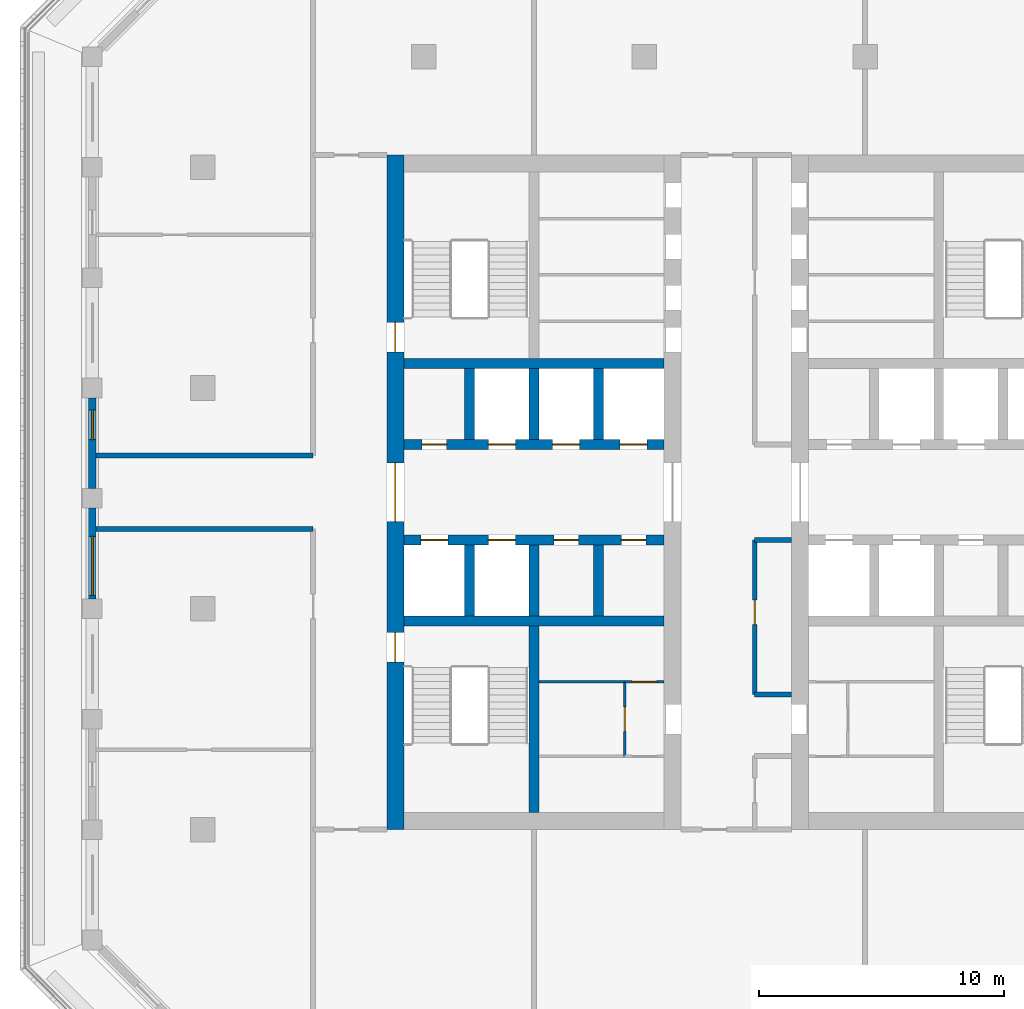
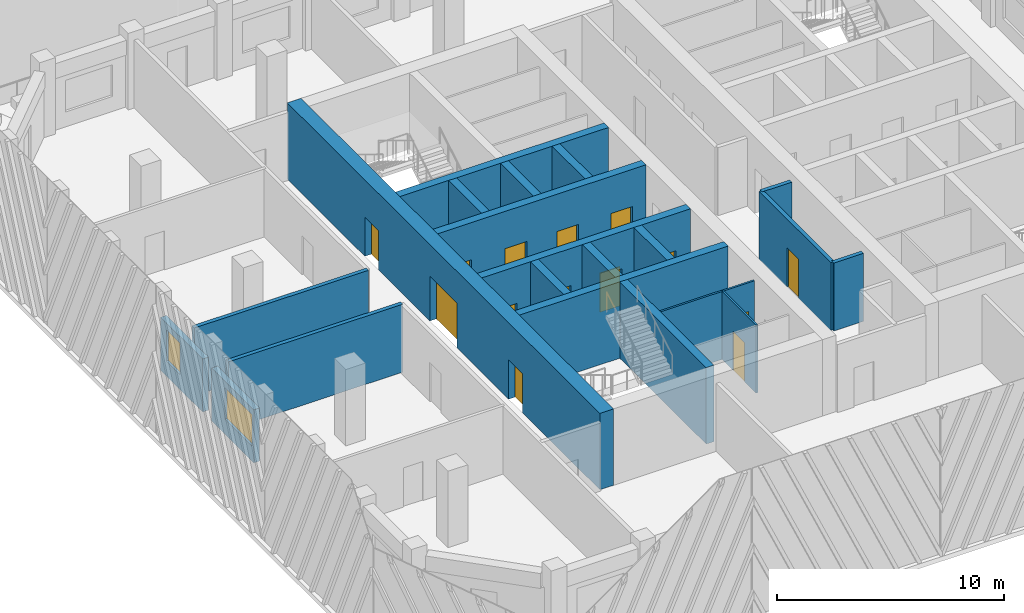
# One storey, part 3 of 15: 22 walls, 14 doors, 2 windows, 16 openings.
"""IFC4 building model written with IfcOpenShell, lengths in metres."""

from ifc_helpers import new_model, si_unit, direction, frame, frame_2d, origin, place, context, subcontext, project, spatial, rectangle, extrude, material, layer, layer_set, type_object, element, fill, save


model = new_model("IFC4")

# Units and contexts
model_context = context("Model", 3, precision=1e-05, world=origin(), true_north=direction((0.0, 1.0)))
body_context = subcontext(model_context, "Body", "Model", "MODEL_VIEW")
ifc_project = project(units=[si_unit("LENGTHUNIT", "METRE"), si_unit("AREAUNIT", "SQUARE_METRE"), si_unit("VOLUMEUNIT", "CUBIC_METRE"), si_unit("PLANEANGLEUNIT", "RADIAN"), si_unit("MASSUNIT", "GRAM", prefix="KILO")], contexts=[model_context])

# Site, building, storey
site_placement = place(None, origin())
site = spatial("IfcSite", under=ifc_project, at=site_placement, CompositionType="ELEMENT")
building_placement = place(site_placement, origin())
building = spatial("IfcBuilding", under=site, at=building_placement, Name="Corbel Stack Research Tower", CompositionType="ELEMENT")
storey_placement = place(building_placement, frame((0.0, 0.0, 274.5)))
storey = spatial("IfcBuildingStorey", under=building, at=storey_placement, Name="L62", CompositionType="ELEMENT", Elevation=274.5)

# Wall
ifc_material_1 = material(Name="Concrete C60/75", Category="concrete")
ifc_layer_1 = layer(ifc_material_1, 0.39990234375)
ifc_layer_set_1 = layer_set([ifc_layer_1], Name="Concrete C60/75")
wall_type_1 = type_object("IfcWallType", Name="CW-400-60", PredefinedType="SHEAR", material=ifc_layer_set_1)
wall_1_placement = place(storey_placement, frame((-9.800048828125, -0.5, 0.0), z_axis=(0.0, 0.0, 1.0), x_axis=(1.0, 0.0, 0.0)))
element("IfcWall", 1, at=wall_1_placement, inside=storey, type_object=wall_type_1, Name="West core wall, south row back L62", PredefinedType="SHEAR", context=body_context, shape_type="SweptSolid", body=[
    extrude(rectangle(XDim=10.60009765625, YDim=0.39990234375, at=frame_2d((5.300048828125, 0.0))), origin(), (0.0, 0.0, 1.0), 4.10009765625),
])

# Wall, openings, doors
wall_2_placement = place(storey_placement, frame((-9.800048828125, 2.800048828125, 0.0), z_axis=(0.0, 0.0, 1.0), x_axis=(1.0, 0.0, 0.0)))
wall_2 = element("IfcWall", 2, at=wall_2_placement, inside=storey, type_object=wall_type_1, Name="West core wall, lobby south L62", PredefinedType="SHEAR", context=body_context, shape_type="SweptSolid", body=[
    extrude(rectangle(XDim=10.60009765625, YDim=0.39990234375, at=frame_2d((5.300048828125, 0.0))), origin(), (0.0, 0.0, 1.0), 4.10009765625),
])
opening_1_placement = place(wall_2_placement, frame((0.6875, 0.0, 0.0)))
opening_1 = element("IfcOpeningElement", 3, at=opening_1_placement, cuts=wall_2, Name="Opening LD-FS1", PredefinedType="OPENING", context=body_context, shape_type="SweptSolid", body=[
    extrude(rectangle(XDim=1.10009765625, YDim=2.10009765625, at=frame_2d((0.550048828125, 1.050048828125))), frame((0.0, 0.2099609375, 0.0), z_axis=(0.0, -1.0, 0.0), x_axis=(1.0, 0.0, 0.0)), (0.0, 0.0, 1.0), 0.419921875),
])
opening_2_placement = place(wall_2_placement, frame((3.4375, 0.0, 0.0)))
opening_2 = element("IfcOpeningElement", 4, at=opening_2_placement, cuts=wall_2, Name="Opening LD-GL1", PredefinedType="OPENING", context=body_context, shape_type="SweptSolid", body=[
    extrude(rectangle(XDim=1.10009765625, YDim=2.10009765625, at=frame_2d((0.550048828125, 1.050048828125))), frame((0.0, 0.2099609375, 0.0), z_axis=(0.0, -1.0, 0.0), x_axis=(1.0, 0.0, 0.0)), (0.0, 0.0, 1.0), 0.419921875),
])
opening_3_placement = place(wall_2_placement, frame((6.112548828125, 0.0, 0.0)))
opening_3 = element("IfcOpeningElement", 5, at=opening_3_placement, cuts=wall_2, Name="Opening CR-W36-S3", PredefinedType="OPENING", context=body_context, shape_type="SweptSolid", body=[
    extrude(rectangle(XDim=1.0, YDim=2.10009765625, at=frame_2d((0.5, 1.050048828125))), frame((0.0, 0.2099609375, 0.0), z_axis=(0.0, -1.0, 0.0), x_axis=(1.0, 0.0, 0.0)), (0.0, 0.0, 1.0), 0.419921875),
])
opening_4_placement = place(wall_2_placement, frame((8.862548828125, 0.0, 0.0)))
opening_4 = element("IfcOpeningElement", 6, at=opening_4_placement, cuts=wall_2, Name="Opening CR-W36-S4", PredefinedType="OPENING", context=body_context, shape_type="SweptSolid", body=[
    extrude(rectangle(XDim=1.0, YDim=2.10009765625, at=frame_2d((0.5, 1.050048828125))), frame((0.0, 0.2099609375, 0.0), z_axis=(0.0, -1.0, 0.0), x_axis=(1.0, 0.0, 0.0)), (0.0, 0.0, 1.0), 0.419921875),
])
ifc_material_2 = material(Name="Stainless steel landing door", Category="steel")
door_type_1 = type_object("IfcDoorType", Name="Lift landing door 1100 x 2100", OperationType="DOUBLE_DOOR_SLIDING", PredefinedType="DOOR", material=ifc_material_2)
door_1_placement = place(opening_1_placement, origin())
door_1 = element("IfcDoor", 7, at=door_1_placement, inside=storey, type_object=door_type_1, Name="Landing door FS1", OperationType="DOUBLE_DOOR_SLIDING", OverallHeight=2.10009765625, OverallWidth=1.10009765625, PredefinedType="DOOR", context=body_context, shape_type="SweptSolid", body=[
    extrude(rectangle(XDim=1.10009765625, YDim=2.10009765625, at=frame_2d((0.550048828125, 1.050048828125))), frame((0.0, 0.02490234375, 0.0), z_axis=(0.0, -1.0, 0.0), x_axis=(1.0, 0.0, 0.0)), (0.0, 0.0, 1.0), 0.050048828125),
])
fill(opening_1, door_1)
door_2_placement = place(opening_2_placement, origin())
door_2 = element("IfcDoor", 8, at=door_2_placement, inside=storey, type_object=door_type_1, Name="Landing door GL1", OperationType="DOUBLE_DOOR_SLIDING", OverallHeight=2.10009765625, OverallWidth=1.10009765625, PredefinedType="DOOR", context=body_context, shape_type="SweptSolid", body=[
    extrude(rectangle(XDim=1.10009765625, YDim=2.10009765625, at=frame_2d((0.550048828125, 1.050048828125))), frame((0.0, 0.02490234375, 0.0), z_axis=(0.0, -1.0, 0.0), x_axis=(1.0, 0.0, 0.0)), (0.0, 0.0, 1.0), 0.050048828125),
])
fill(opening_2, door_2)
ifc_material_3 = material(Name="Painted steel door", Category="steel")
door_type_2 = type_object("IfcDoorType", Name="Service door 1000 x 2100 FD60 left hand", OperationType="SINGLE_SWING_LEFT", PredefinedType="DOOR", material=ifc_material_3)
door_3_placement = place(opening_3_placement, origin())
door_3 = element("IfcDoor", 9, at=door_3_placement, inside=storey, type_object=door_type_2, Name="Records store door W core", OperationType="SINGLE_SWING_LEFT", OverallHeight=2.10009765625, OverallWidth=1.0, PredefinedType="DOOR", context=body_context, shape_type="SweptSolid", body=[
    extrude(rectangle(XDim=1.0, YDim=2.10009765625, at=frame_2d((0.5, 1.050048828125))), frame((0.0, 0.02490234375, 0.0), z_axis=(0.0, -1.0, 0.0), x_axis=(1.0, 0.0, 0.0)), (0.0, 0.0, 1.0), 0.050048828125),
])
fill(opening_3, door_3)
ifc_material_4 = material(Name="Painted steel door", Category="steel")
door_type_3 = type_object("IfcDoorType", Name="Service door 1000 x 2100 FD60 right hand", OperationType="SINGLE_SWING_RIGHT", PredefinedType="DOOR", material=ifc_material_4)
door_4_placement = place(opening_4_placement, origin())
door_4 = element("IfcDoor", 10, at=door_4_placement, inside=storey, type_object=door_type_3, Name="Electrical room door W core", OperationType="SINGLE_SWING_RIGHT", OverallHeight=2.10009765625, OverallWidth=1.0, PredefinedType="DOOR", context=body_context, shape_type="SweptSolid", body=[
    extrude(rectangle(XDim=1.0, YDim=2.10009765625, at=frame_2d((0.5, 1.050048828125))), frame((0.0, 0.02490234375, 0.0), z_axis=(0.0, -1.0, 0.0), x_axis=(1.0, 0.0, 0.0)), (0.0, 0.0, 1.0), 0.050048828125),
])
fill(opening_4, door_4)

wall_3_placement = place(storey_placement, frame((-9.800048828125, 6.699951171875, 0.0), z_axis=(0.0, 0.0, 1.0), x_axis=(1.0, 0.0, 0.0)))
wall_3 = element("IfcWall", 11, at=wall_3_placement, inside=storey, type_object=wall_type_1, Name="West core wall, lobby north L62", PredefinedType="SHEAR", context=body_context, shape_type="SweptSolid", body=[
    extrude(rectangle(XDim=10.60009765625, YDim=0.39990234375, at=frame_2d((5.300048828125, 0.0))), origin(), (0.0, 0.0, 1.0), 4.10009765625),
])
opening_5_placement = place(wall_3_placement, frame((3.4375, 0.0, 0.0)))
opening_5 = element("IfcOpeningElement", 12, at=opening_5_placement, cuts=wall_3, Name="Opening LD-HR1", PredefinedType="OPENING", context=body_context, shape_type="SweptSolid", body=[
    extrude(rectangle(XDim=1.10009765625, YDim=2.10009765625, at=frame_2d((0.550048828125, 1.050048828125))), frame((0.0, 0.2099609375, 0.0), z_axis=(0.0, -1.0, 0.0), x_axis=(1.0, 0.0, 0.0)), (0.0, 0.0, 1.0), 0.419921875),
])
opening_6_placement = place(wall_3_placement, frame((6.0625, 0.0, 0.0)))
opening_6 = element("IfcOpeningElement", 13, at=opening_6_placement, cuts=wall_3, Name="Opening LD-HR2", PredefinedType="OPENING", context=body_context, shape_type="SweptSolid", body=[
    extrude(rectangle(XDim=1.10009765625, YDim=2.10009765625, at=frame_2d((0.550048828125, 1.050048828125))), frame((0.0, 0.2099609375, 0.0), z_axis=(0.0, -1.0, 0.0), x_axis=(1.0, 0.0, 0.0)), (0.0, 0.0, 1.0), 0.419921875),
])
opening_7_placement = place(wall_3_placement, frame((8.8125, 0.0, 0.0)))
opening_7 = element("IfcOpeningElement", 14, at=opening_7_placement, cuts=wall_3, Name="Opening LD-HR3", PredefinedType="OPENING", context=body_context, shape_type="SweptSolid", body=[
    extrude(rectangle(XDim=1.10009765625, YDim=2.10009765625, at=frame_2d((0.550048828125, 1.050048828125))), frame((0.0, 0.2099609375, 0.0), z_axis=(0.0, -1.0, 0.0), x_axis=(1.0, 0.0, 0.0)), (0.0, 0.0, 1.0), 0.419921875),
])
opening_8_placement = place(wall_3_placement, frame((0.737548828125, 0.0, 0.0)))
opening_8 = element("IfcOpeningElement", 15, at=opening_8_placement, cuts=wall_3, Name="Opening CR-W36-N1", PredefinedType="OPENING", context=body_context, shape_type="SweptSolid", body=[
    extrude(rectangle(XDim=1.0, YDim=2.10009765625, at=frame_2d((0.5, 1.050048828125))), frame((0.0, 0.2099609375, 0.0), z_axis=(0.0, -1.0, 0.0), x_axis=(1.0, 0.0, 0.0)), (0.0, 0.0, 1.0), 0.419921875),
])
door_5_placement = place(opening_5_placement, origin())
door_5 = element("IfcDoor", 16, at=door_5_placement, inside=storey, type_object=door_type_1, Name="Landing door HR1", OperationType="DOUBLE_DOOR_SLIDING", OverallHeight=2.10009765625, OverallWidth=1.10009765625, PredefinedType="DOOR", context=body_context, shape_type="SweptSolid", body=[
    extrude(rectangle(XDim=1.10009765625, YDim=2.10009765625, at=frame_2d((0.550048828125, 1.050048828125))), frame((0.0, 0.02490234375, 0.0), z_axis=(0.0, -1.0, 0.0), x_axis=(1.0, 0.0, 0.0)), (0.0, 0.0, 1.0), 0.050048828125),
])
fill(opening_5, door_5)
door_6_placement = place(opening_6_placement, origin())
door_6 = element("IfcDoor", 17, at=door_6_placement, inside=storey, type_object=door_type_1, Name="Landing door HR2", OperationType="DOUBLE_DOOR_SLIDING", OverallHeight=2.10009765625, OverallWidth=1.10009765625, PredefinedType="DOOR", context=body_context, shape_type="SweptSolid", body=[
    extrude(rectangle(XDim=1.10009765625, YDim=2.10009765625, at=frame_2d((0.550048828125, 1.050048828125))), frame((0.0, 0.02490234375, 0.0), z_axis=(0.0, -1.0, 0.0), x_axis=(1.0, 0.0, 0.0)), (0.0, 0.0, 1.0), 0.050048828125),
])
fill(opening_6, door_6)
door_7_placement = place(opening_7_placement, origin())
door_7 = element("IfcDoor", 18, at=door_7_placement, inside=storey, type_object=door_type_1, Name="Landing door HR3", OperationType="DOUBLE_DOOR_SLIDING", OverallHeight=2.10009765625, OverallWidth=1.10009765625, PredefinedType="DOOR", context=body_context, shape_type="SweptSolid", body=[
    extrude(rectangle(XDim=1.10009765625, YDim=2.10009765625, at=frame_2d((0.550048828125, 1.050048828125))), frame((0.0, 0.02490234375, 0.0), z_axis=(0.0, -1.0, 0.0), x_axis=(1.0, 0.0, 0.0)), (0.0, 0.0, 1.0), 0.050048828125),
])
fill(opening_7, door_7)
door_8_placement = place(opening_8_placement, origin())
door_8 = element("IfcDoor", 19, at=door_8_placement, inside=storey, type_object=door_type_2, Name="Pantry door W core", OperationType="SINGLE_SWING_LEFT", OverallHeight=2.10009765625, OverallWidth=1.0, PredefinedType="DOOR", context=body_context, shape_type="SweptSolid", body=[
    extrude(rectangle(XDim=1.0, YDim=2.10009765625, at=frame_2d((0.5, 1.050048828125))), frame((0.0, 0.02490234375, 0.0), z_axis=(0.0, -1.0, 0.0), x_axis=(1.0, 0.0, 0.0)), (0.0, 0.0, 1.0), 0.050048828125),
])
fill(opening_8, door_8)

# Walls
wall_4_placement = place(storey_placement, frame((-9.800048828125, 10.0, 0.0), z_axis=(0.0, 0.0, 1.0), x_axis=(1.0, 0.0, 0.0)))
element("IfcWall", 20, at=wall_4_placement, inside=storey, type_object=wall_type_1, Name="West core wall, north row back L62", PredefinedType="SHEAR", context=body_context, shape_type="SweptSolid", body=[
    extrude(rectangle(XDim=10.60009765625, YDim=0.39990234375, at=frame_2d((5.300048828125, 0.0))), origin(), (0.0, 0.0, 1.0), 4.10009765625),
])
for number, where, z_axis, x_axis, name in (
    (21, (-7.125, -0.300048828125, 0.0), (0.0, 0.0, 1.0), (0.0, 1.0, 0.0), "West core wall, south shaft 1 L62"),
    (22, (-7.125, 6.89990234375, 0.0), (0.0, 0.0, 1.0), (0.0, 1.0, 0.0), "West core wall, north shaft 1 L62"),
    (23, (-4.5, -0.300048828125, 0.0), (0.0, 0.0, 1.0), (0.0, 1.0, 0.0), "West core wall, south shaft 2 L62"),
    (24, (-4.5, 6.89990234375, 0.0), (0.0, 0.0, 1.0), (0.0, 1.0, 0.0), "West core wall, north shaft 2 L62"),
    (25, (-1.875, -0.300048828125, 0.0), (0.0, 0.0, 1.0), (0.0, 1.0, 0.0), "West core wall, south shaft 3 L62"),
    (26, (-1.875, 6.89990234375, 0.0), (0.0, 0.0, 1.0), (0.0, 1.0, 0.0), "West core wall, north shaft 3 L62"),
):
    element("IfcWall", number, at=place(storey_placement, frame(where, z_axis=z_axis, x_axis=x_axis)), inside=storey, type_object=wall_type_1, Name=name, PredefinedType="SHEAR", context=body_context, shape_type="SweptSolid", body=[
        extrude(rectangle(XDim=2.900146484375, YDim=0.39990234375, at=frame_2d((1.4501953125, 0.0))), origin(), (0.0, 0.0, 1.0), 4.10009765625),
    ])
wall_5_placement = place(storey_placement, frame((-4.5, -8.300048828125, 0.0), z_axis=(0.0, 0.0, 1.0), x_axis=(0.0, 1.0, 0.0)))
element("IfcWall", 27, at=wall_5_placement, inside=storey, type_object=wall_type_1, Name="West core wall, south stair and WC L62", PredefinedType="SHEAR", context=body_context, shape_type="SweptSolid", body=[
    extrude(rectangle(XDim=7.60009765625, YDim=0.39990234375, at=frame_2d((3.800048828125, 0.0))), origin(), (0.0, 0.0, 1.0), 4.10009765625),
])

# Wall, openings, doors
ifc_material_5 = material(Name="Concrete C60/75", Category="concrete")
ifc_layer_2 = layer(ifc_material_5, 0.699951171875)
ifc_layer_set_2 = layer_set([ifc_layer_2], Name="Concrete C60/75")
wall_type_2 = type_object("IfcWallType", Name="CW-700-60", PredefinedType="SHEAR", material=ifc_layer_set_2)
wall_6_placement = place(storey_placement, frame((-10.14990234375, -9.0, 0.0), z_axis=(0.0, 0.0, 1.0), x_axis=(0.0, 1.0, 0.0)))
wall_6 = element("IfcWall", 28, at=wall_6_placement, inside=storey, type_object=wall_type_2, Name="West core wall, west face L62", PredefinedType="SHEAR", context=body_context, shape_type="SweptSolid", body=[
    extrude(rectangle(XDim=27.5, YDim=0.699951171875, at=frame_2d((13.75, 0.0))), origin(), (0.0, 0.0, 1.0), 4.10009765625),
])
opening_9_placement = place(wall_6_placement, frame((12.550048828125, 0.0, 0.0)))
opening_9 = element("IfcOpeningElement", 29, at=opening_9_placement, cuts=wall_6, Name="Opening CD-W-W", PredefinedType="OPENING", context=body_context, shape_type="SweptSolid", body=[
    extrude(rectangle(XDim=2.39990234375, YDim=2.39990234375, at=frame_2d((1.199951171875, 1.199951171875))), frame((0.0, 0.35986328125, 0.0), z_axis=(0.0, -1.0, 0.0), x_axis=(1.0, 0.0, 0.0)), (0.0, 0.0, 1.0), 0.719970703125),
])
opening_10_placement = place(wall_6_placement, frame((6.824951171875, 0.0, 0.0)))
opening_10 = element("IfcOpeningElement", 30, at=opening_10_placement, cuts=wall_6, Name="Opening SD-ST-W1", PredefinedType="OPENING", context=body_context, shape_type="SweptSolid", body=[
    extrude(rectangle(XDim=1.199951171875, YDim=2.10009765625, at=frame_2d((0.60009765625, 1.050048828125))), frame((0.0, 0.35986328125, 0.0), z_axis=(0.0, -1.0, 0.0), x_axis=(1.0, 0.0, 0.0)), (0.0, 0.0, 1.0), 0.719970703125),
])
opening_11_placement = place(wall_6_placement, frame((19.47509765625, 0.0, 0.0)))
opening_11 = element("IfcOpeningElement", 31, at=opening_11_placement, cuts=wall_6, Name="Opening SD-ST-W2", PredefinedType="OPENING", context=body_context, shape_type="SweptSolid", body=[
    extrude(rectangle(XDim=1.199951171875, YDim=2.10009765625, at=frame_2d((0.60009765625, 1.050048828125))), frame((0.0, 0.35986328125, 0.0), z_axis=(0.0, -1.0, 0.0), x_axis=(1.0, 0.0, 0.0)), (0.0, 0.0, 1.0), 0.719970703125),
])
ifc_material_6 = material(Name="Painted steel fire door", Category="steel")
door_type_4 = type_object("IfcDoorType", Name="Lobby door pair 2400 x 2400 FD30S", OperationType="DOUBLE_DOOR_DOUBLE_SWING", PredefinedType="DOOR", material=ifc_material_6)
door_9_placement = place(opening_9_placement, origin())
door_9 = element("IfcDoor", 32, at=door_9_placement, inside=storey, type_object=door_type_4, Name="Lift lobby door W core W", OperationType="DOUBLE_DOOR_DOUBLE_SWING", OverallHeight=2.39990234375, OverallWidth=2.39990234375, PredefinedType="DOOR", context=body_context, shape_type="SweptSolid", body=[
    extrude(rectangle(XDim=2.39990234375, YDim=2.39990234375, at=frame_2d((1.199951171875, 1.199951171875))), frame((0.0, 0.02490234375, 0.0), z_axis=(0.0, -1.0, 0.0), x_axis=(1.0, 0.0, 0.0)), (0.0, 0.0, 1.0), 0.050048828125),
])
fill(opening_9, door_9)
ifc_material_7 = material(Name="Painted steel fire door", Category="steel")
door_type_5 = type_object("IfcDoorType", Name="Stair door 1200 x 2100 FD90 left hand", OperationType="SINGLE_SWING_LEFT", PredefinedType="DOOR", material=ifc_material_7)
door_10_placement = place(opening_10_placement, origin())
door_10 = element("IfcDoor", 33, at=door_10_placement, inside=storey, type_object=door_type_5, Name="Stair door ST-W1", OperationType="SINGLE_SWING_LEFT", OverallHeight=2.10009765625, OverallWidth=1.199951171875, PredefinedType="DOOR", context=body_context, shape_type="SweptSolid", body=[
    extrude(rectangle(XDim=1.199951171875, YDim=2.10009765625, at=frame_2d((0.60009765625, 1.050048828125))), frame((0.0, 0.02490234375, 0.0), z_axis=(0.0, -1.0, 0.0), x_axis=(1.0, 0.0, 0.0)), (0.0, 0.0, 1.0), 0.050048828125),
])
fill(opening_10, door_10)
door_11_placement = place(opening_11_placement, origin())
door_11 = element("IfcDoor", 34, at=door_11_placement, inside=storey, type_object=door_type_5, Name="Stair door ST-W2", OperationType="SINGLE_SWING_LEFT", OverallHeight=2.10009765625, OverallWidth=1.199951171875, PredefinedType="DOOR", context=body_context, shape_type="SweptSolid", body=[
    extrude(rectangle(XDim=1.199951171875, YDim=2.10009765625, at=frame_2d((0.60009765625, 1.050048828125))), frame((0.0, 0.02490234375, 0.0), z_axis=(0.0, -1.0, 0.0), x_axis=(1.0, 0.0, 0.0)), (0.0, 0.0, 1.0), 0.050048828125),
])
fill(opening_11, door_11)

# Wall, opening, door
ifc_material_8 = material(Name="Gypsum board")
ifc_layer_3 = layer(ifc_material_8, 0.10009765625)
ifc_layer_set_3 = layer_set([ifc_layer_3], Name="Gypsum board")
wall_type_3 = type_object("IfcWallType", Name="Core partition 100", PredefinedType="PARTITIONING", material=ifc_layer_set_3)
wall_7_placement = place(storey_placement, frame((-0.800048828125, -2.97998046875, 0.0), z_axis=(0.0, 0.0, 1.0), x_axis=(1.0, 0.0, 0.0)))
wall_7 = element("IfcWall", 35, at=wall_7_placement, inside=storey, type_object=wall_type_3, Name="Core partition W", PredefinedType="PARTITIONING", context=body_context, shape_type="SweptSolid", body=[
    extrude(rectangle(XDim=1.60009765625, YDim=0.10009765625, at=frame_2d((0.800048828125, 0.0))), origin(), (0.0, 0.0, 1.0), 3.64990234375),
])
opening_12_placement = place(wall_7_placement, frame((0.300048828125, 0.0, 0.0)))
opening_12 = element("IfcOpeningElement", 36, at=opening_12_placement, cuts=wall_7, Name="Opening CR-W36-W3-1000", PredefinedType="OPENING", context=body_context, shape_type="SweptSolid", body=[
    extrude(rectangle(XDim=1.0, YDim=2.10009765625, at=frame_2d((0.5, 1.050048828125))), frame((0.0, 0.06005859375, 0.0), z_axis=(0.0, -1.0, 0.0), x_axis=(1.0, 0.0, 0.0)), (0.0, 0.0, 1.0), 0.1201171875),
])
ifc_material_9 = material(Name="Painted timber door", Category="wood")
door_type_6 = type_object("IfcDoorType", Name="WC door 1000 x 2100 left hand", OperationType="SINGLE_SWING_LEFT", PredefinedType="DOOR", material=ifc_material_9)
door_12_placement = place(opening_12_placement, origin())
door_12 = element("IfcDoor", 37, at=door_12_placement, inside=storey, type_object=door_type_6, Name="Women's WC door W core", OperationType="SINGLE_SWING_LEFT", OverallHeight=2.10009765625, OverallWidth=1.0, PredefinedType="DOOR", context=body_context, shape_type="SweptSolid", body=[
    extrude(rectangle(XDim=1.0, YDim=2.10009765625, at=frame_2d((0.5, 1.050048828125))), frame((0.0, 0.02490234375, 0.0), z_axis=(0.0, -1.0, 0.0), x_axis=(1.0, 0.0, 0.0)), (0.0, 0.0, 1.0), 0.050048828125),
])
fill(opening_12, door_12)

wall_8_placement = place(storey_placement, frame((-0.800048828125, -6.02001953125, 0.0), z_axis=(0.0, 0.0, 1.0), x_axis=(0.0, 1.0, 0.0)))
wall_8 = element("IfcWall", 38, at=wall_8_placement, inside=storey, type_object=wall_type_3, Name="Core partition W", PredefinedType="PARTITIONING", context=body_context, shape_type="SweptSolid", body=[
    extrude(rectangle(XDim=3.0400390625, YDim=0.10009765625, at=frame_2d((1.52001953125, 0.0))), origin(), (0.0, 0.0, 1.0), 3.64990234375),
])
opening_13_placement = place(wall_8_placement, frame((1.02001953125, 0.0, 0.0)))
opening_13 = element("IfcOpeningElement", 39, at=opening_13_placement, cuts=wall_8, Name="Opening CR-W36-W4-1000", PredefinedType="OPENING", context=body_context, shape_type="SweptSolid", body=[
    extrude(rectangle(XDim=1.0, YDim=2.10009765625, at=frame_2d((0.5, 1.050048828125))), frame((0.0, 0.06005859375, 0.0), z_axis=(0.0, -1.0, 0.0), x_axis=(1.0, 0.0, 0.0)), (0.0, 0.0, 1.0), 0.1201171875),
])
ifc_material_10 = material(Name="Painted timber door", Category="wood")
door_type_7 = type_object("IfcDoorType", Name="WC door 1000 x 2100 right hand", OperationType="SINGLE_SWING_RIGHT", PredefinedType="DOOR", material=ifc_material_10)
door_13_placement = place(opening_13_placement, origin())
door_13 = element("IfcDoor", 40, at=door_13_placement, inside=storey, type_object=door_type_7, Name="Accessible WC door W core", OperationType="SINGLE_SWING_RIGHT", OverallHeight=2.10009765625, OverallWidth=1.0, PredefinedType="DOOR", context=body_context, shape_type="SweptSolid", body=[
    extrude(rectangle(XDim=1.0, YDim=2.10009765625, at=frame_2d((0.5, 1.050048828125))), frame((0.0, 0.02490234375, 0.0), z_axis=(0.0, -1.0, 0.0), x_axis=(1.0, 0.0, 0.0)), (0.0, 0.0, 1.0), 0.050048828125),
])
fill(opening_13, door_13)

# Wall
wall_9_placement = place(storey_placement, frame((-4.300048828125, -2.97998046875, 0.0), z_axis=(0.0, 0.0, 1.0), x_axis=(1.0, 0.0, 0.0)))
element("IfcWall", 41, at=wall_9_placement, inside=storey, type_object=wall_type_3, Name="Core partition W", PredefinedType="PARTITIONING", context=body_context, shape_type="SweptSolid", body=[
    extrude(rectangle(XDim=3.5, YDim=0.10009765625, at=frame_2d((1.75, 0.0))), origin(), (0.0, 0.0, 1.0), 3.64990234375),
])

# Wall, opening, door
ifc_material_11 = material(Name="Fire-rated gypsum board partition on steel studs", Category="steel")
ifc_layer_4 = layer(ifc_material_11, 0.199951171875)
ifc_layer_set_4 = layer_set([ifc_layer_4], Name="Fire-rated gypsum board partition on steel studs")
wall_type_4 = type_object("IfcWallType", Name="Fire-rated partition 200 EI 60", PredefinedType="PARTITIONING", material=ifc_layer_set_4)
wall_10_placement = place(storey_placement, frame((4.5, 2.800048828125, 0.0), z_axis=(0.0, 0.0, 1.0), x_axis=(0.0, -1.0, 0.0)))
wall_10 = element("IfcWall", 42, at=wall_10_placement, inside=storey, type_object=wall_type_4, Name="Partition L62-006", PredefinedType="PARTITIONING", context=body_context, shape_type="SweptSolid", body=[
    extrude(rectangle(XDim=6.300048828125, YDim=0.199951171875, at=frame_2d((3.14990234375, 0.0))), origin(), (0.0, 0.0, 1.0), 3.64990234375),
])
opening_14_placement = place(wall_10_placement, frame((2.449951171875, 0.0, 0.0)))
opening_14 = element("IfcOpeningElement", 43, at=opening_14_placement, cuts=wall_10, Name="Opening B8V1-008", PredefinedType="OPENING", context=body_context, shape_type="SweptSolid", body=[
    extrude(rectangle(XDim=1.0, YDim=2.10009765625, at=frame_2d((0.5, 1.050048828125))), frame((0.0, 0.10986328125, 0.0), z_axis=(0.0, -1.0, 0.0), x_axis=(1.0, 0.0, 0.0)), (0.0, 0.0, 1.0), 0.219970703125),
])
ifc_material_12 = material(Name="Painted steel fire door", Category="steel")
door_type_8 = type_object("IfcDoorType", Name="Fire door FD30S 1000 x 2100", OperationType="NOTDEFINED", PredefinedType="DOOR", material=ifc_material_12)
door_14_placement = place(opening_14_placement, origin())
door_14 = element("IfcDoor", 44, at=door_14_placement, inside=storey, type_object=door_type_8, Name="Door B8V1-008", OperationType="SINGLE_SWING_LEFT", OverallHeight=2.10009765625, OverallWidth=1.0, PredefinedType="DOOR", context=body_context, shape_type="SweptSolid", body=[
    extrude(rectangle(XDim=1.0, YDim=2.10009765625, at=frame_2d((0.5, 1.050048828125))), frame((0.0, 0.02490234375, 0.0), z_axis=(0.0, -1.0, 0.0), x_axis=(1.0, 0.0, 0.0)), (0.0, 0.0, 1.0), 0.050048828125),
])
fill(opening_14, door_14)

# Walls
for number, where, z_axis, x_axis, name in (
    (45, (4.5, -3.5, 0.0), (0.0, 0.0, 1.0), (1.0, 0.0, 0.0), "Partition L62-016"),
    (46, (4.5, 2.800048828125, 0.0), (0.0, 0.0, 1.0), (1.0, 0.0, 0.0), "Partition L62-017"),
):
    element("IfcWall", number, at=place(storey_placement, frame(where, z_axis=z_axis, x_axis=x_axis)), inside=storey, type_object=wall_type_4, Name=name, PredefinedType="PARTITIONING", context=body_context, shape_type="SweptSolid", body=[
        extrude(rectangle(XDim=1.5, YDim=0.199951171875, at=frame_2d((0.75, 0.0))), origin(), (0.0, 0.0, 1.0), 3.64990234375),
    ])
for number, where, z_axis, x_axis, name in (
    (47, (-22.35009765625, 3.25, 0.0), (0.0, 0.0, 1.0), (1.0, 0.0, 0.0), "Partition L62-018"),
    (48, (-22.35009765625, 6.25, 0.0), (0.0, 0.0, 1.0), (1.0, 0.0, 0.0), "Partition L62-019"),
):
    element("IfcWall", number, at=place(storey_placement, frame(where, z_axis=z_axis, x_axis=x_axis)), inside=storey, type_object=wall_type_4, Name=name, PredefinedType="PARTITIONING", context=body_context, shape_type="SweptSolid", body=[
        extrude(rectangle(XDim=8.85009765625, YDim=0.199951171875, at=frame_2d((4.425048828125, 0.0))), origin(), (0.0, 0.0, 1.0), 3.64990234375),
    ])

# Wall, opening, window
ifc_material_13 = material(Name="Concrete C45/55", Category="concrete")
ifc_layer_5 = layer(ifc_material_13, 0.300048828125)
ifc_layer_set_5 = layer_set([ifc_layer_5], Name="Concrete C45/55")
wall_type_5 = type_object("IfcWallType", Name="Terracotta-faced concrete wall 300", PredefinedType="SOLIDWALL", material=ifc_layer_set_5)
wall_11_placement = place(storey_placement, frame((-22.5, 4.89990234375, 0.0), z_axis=(0.0, 0.0, 1.0), x_axis=(0.0, 1.0, 0.0)))
wall_11 = element("IfcWall", 49, at=wall_11_placement, inside=storey, type_object=wall_type_5, Name="Facade wall L62 W04", PredefinedType="SOLIDWALL", context=body_context, shape_type="SweptSolid", body=[
    extrude(rectangle(XDim=3.7001953125, YDim=0.300048828125, at=frame_2d((1.85009765625, 0.0))), origin(), (0.0, 0.0, 1.0), 2.85009765625),
])
opening_15_placement = place(wall_11_placement, frame((2.0, 0.0, 0.800048828125)))
opening_15 = element("IfcOpeningElement", 50, at=opening_15_placement, cuts=wall_11, Name="Opening W2", PredefinedType="OPENING", context=body_context, shape_type="SweptSolid", body=[
    extrude(rectangle(XDim=1.199951171875, YDim=1.699951171875, at=frame_2d((0.60009765625, 0.85009765625))), frame((0.0, 0.159912109375, 0.0), z_axis=(0.0, -1.0, 0.0), x_axis=(1.0, 0.0, 0.0)), (0.0, 0.0, 1.0), 0.320068359375),
])
ifc_material_14 = material(Name="Aluminium frame, clear double glazing", Category="aluminium")
window_type_1 = type_object("IfcWindowType", Name="Window W2 1200 x 1700", PartitioningType="SINGLE_PANEL", PredefinedType="WINDOW", material=ifc_material_14)
window_1_placement = place(opening_15_placement, origin())
window_1 = element("IfcWindow", 51, at=window_1_placement, inside=storey, type_object=window_type_1, Name="Window W2 L62 W04", OverallHeight=1.699951171875, OverallWidth=1.199951171875, PartitioningType="SINGLE_PANEL", PredefinedType="WINDOW", context=body_context, shape_type="SweptSolid", body=[
    extrude(rectangle(XDim=1.199951171875, YDim=1.699951171875, at=frame_2d((0.60009765625, 0.85009765625))), frame((0.0, 0.030029296875, 0.0), z_axis=(0.0, -1.0, 0.0), x_axis=(1.0, 0.0, 0.0)), (0.0, 0.0, 1.0), 0.06005859375),
])
fill(opening_15, window_1)

wall_12_placement = place(storey_placement, frame((-22.5, 0.39990234375, 0.0), z_axis=(0.0, 0.0, 1.0), x_axis=(0.0, 1.0, 0.0)))
wall_12 = element("IfcWall", 52, at=wall_12_placement, inside=storey, type_object=wall_type_5, Name="Facade wall L62 W05", PredefinedType="SOLIDWALL", context=body_context, shape_type="SweptSolid", body=[
    extrude(rectangle(XDim=3.7001953125, YDim=0.300048828125, at=frame_2d((1.85009765625, 0.0))), origin(), (0.0, 0.0, 1.0), 2.85009765625),
])
opening_16_placement = place(wall_12_placement, frame((0.14990234375, 0.0, 0.800048828125)))
opening_16 = element("IfcOpeningElement", 53, at=opening_16_placement, cuts=wall_12, Name="Opening W1", PredefinedType="OPENING", context=body_context, shape_type="SweptSolid", body=[
    extrude(rectangle(XDim=2.39990234375, YDim=1.699951171875, at=frame_2d((1.199951171875, 0.85009765625))), frame((0.0, 0.159912109375, 0.0), z_axis=(0.0, -1.0, 0.0), x_axis=(1.0, 0.0, 0.0)), (0.0, 0.0, 1.0), 0.320068359375),
])
ifc_material_15 = material(Name="Aluminium frame, clear double glazing", Category="aluminium")
window_type_2 = type_object("IfcWindowType", Name="Window W1 2400 x 1700", PartitioningType="SINGLE_PANEL", PredefinedType="WINDOW", material=ifc_material_15)
window_2_placement = place(opening_16_placement, origin())
window_2 = element("IfcWindow", 54, at=window_2_placement, inside=storey, type_object=window_type_2, Name="Window W1 L62 W05", OverallHeight=1.699951171875, OverallWidth=2.39990234375, PartitioningType="SINGLE_PANEL", PredefinedType="WINDOW", context=body_context, shape_type="SweptSolid", body=[
    extrude(rectangle(XDim=2.39990234375, YDim=1.699951171875, at=frame_2d((1.199951171875, 0.85009765625))), frame((0.0, 0.030029296875, 0.0), z_axis=(0.0, -1.0, 0.0), x_axis=(1.0, 0.0, 0.0)), (0.0, 0.0, 1.0), 0.06005859375),
])
fill(opening_16, window_2)

save(model, "model.ifc")
